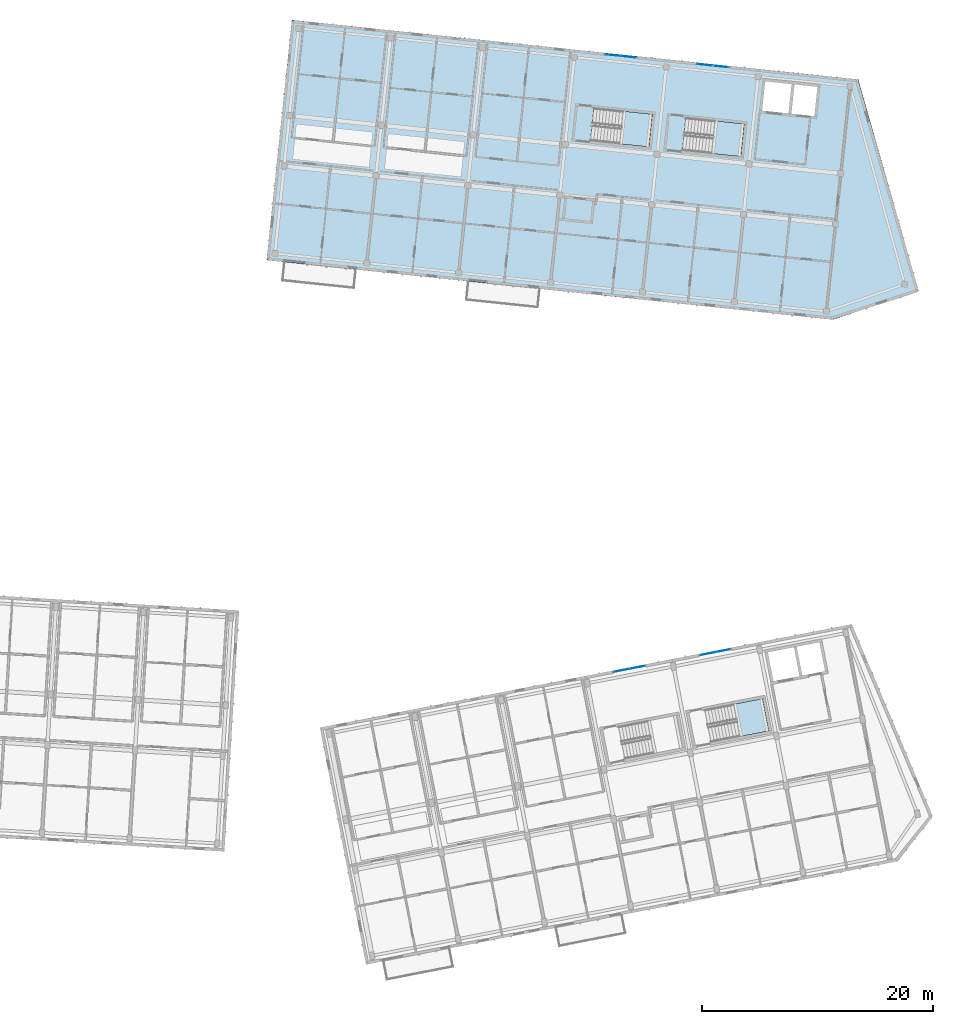
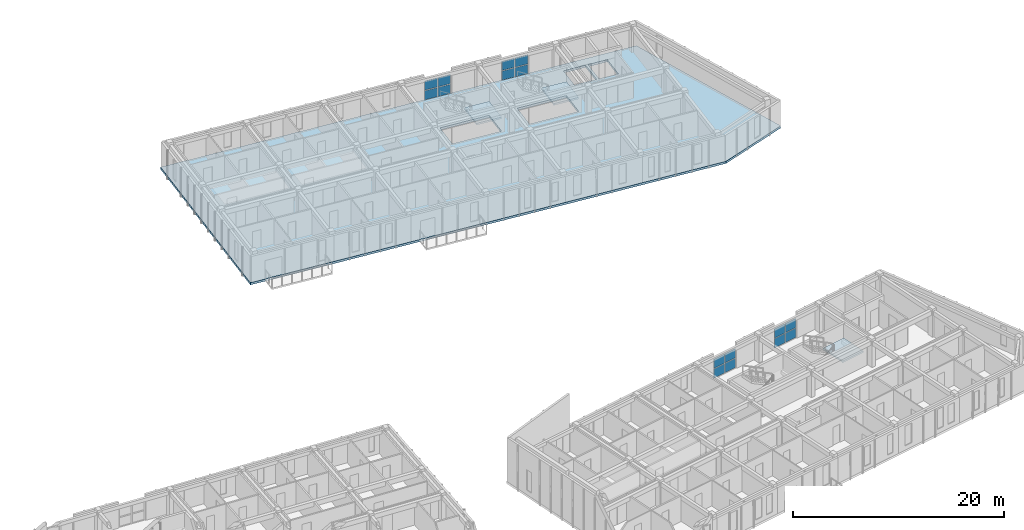
# One storey, part 18 of 65: 16 plates, 4 slabs, 7 elements without a shape of their own.
"""IFC4 building model written with IfcOpenShell, lengths in metres."""

from ifc_helpers import new_model, si_unit, direction, frame, origin, origin_2d, place, context, subcontext, project, spatial, polyline, rectangle, outline, extrude, material, layer, layer_set, type_object, element, aggregate, save


model = new_model("IFC4")

# Units and contexts
model_context = context("Model", 3, precision=1e-05, world=origin(), true_north=direction((0.0, 1.0)))
body_context = subcontext(model_context, "Body", "Model", "MODEL_VIEW")
ifc_project = project(units=[si_unit("LENGTHUNIT", "METRE"), si_unit("AREAUNIT", "SQUARE_METRE"), si_unit("VOLUMEUNIT", "CUBIC_METRE"), si_unit("PLANEANGLEUNIT", "RADIAN"), si_unit("MASSUNIT", "GRAM", prefix="KILO")], contexts=[model_context])

# Site, building, storey
site_placement = place(None, origin())
site = spatial("IfcSite", under=ifc_project, at=site_placement, CompositionType="ELEMENT")
building_placement = place(site_placement, origin())
building = spatial("IfcBuilding", under=site, at=building_placement, Name="Kestramere Prow Commons", CompositionType="ELEMENT")
storey_placement = place(building_placement, frame((0.0, 0.0, 21.39990234375)))
storey = spatial("IfcBuildingStorey", under=building, at=storey_placement, Name="L06", CompositionType="ELEMENT", Elevation=21.39990234375)

# Curtain wall, plates
ifc_material_1 = material(Name="Anodised Aluminium and Low-E Glass", Category="aluminium")
curtain_wall_type = type_object("IfcCurtainWallType", Name="CW-03 Glazed Curtain Wall 2830x2320", PredefinedType="USERDEFINED", material=ifc_material_1)
curtain_wall_1_placement = place(storey_placement, origin())
curtain_wall_1 = element("IfcCurtainWall", 1, at=curtain_wall_1_placement, inside=storey, type_object=curtain_wall_type, Name="Block B L06 Stairwell Vertical Glazing 4", ObjectType="GLAZED CURTAIN WALL", PredefinedType="USERDEFINED")
ifc_material_2 = material(Name="Low-E Laminated Double Glazing", Category="glass")
ifc_layer_1 = layer(ifc_material_2, 0.028076171875)
ifc_layer_set_1 = layer_set([ifc_layer_1], Name="Low-E Laminated Double Glazing")
plate_type = type_object("IfcPlateType", Name="CW-PNL-28", PredefinedType="CURTAIN_PANEL", material=ifc_layer_set_1)
plate_1_placement = place(storey_placement, frame((139.2626953125, 111.960205078125, 0.065185546875), z_axis=(0.0, 0.0, 1.0), x_axis=(0.994521879016, -0.104528618845, 0.0)))
plate_1 = element("IfcPlate", 2, at=plate_1_placement, type_object=plate_type, Name="CW-03 panel 1.1", PredefinedType="CURTAIN_PANEL", context=body_context, shape_type="SweptSolid", body=[
    extrude(rectangle(XDim=1.3173828125, YDim=0.028076171875, at=origin_2d()), origin(), (0.0, 0.0, 1.0), 1.0625),
])
plate_2_placement = place(storey_placement, frame((139.2626953125, 111.960205078125, 1.192626953125), z_axis=(0.0, 0.0, 1.0), x_axis=(0.994521879016, -0.104528618845, 0.0)))
plate_2 = element("IfcPlate", 3, at=plate_2_placement, type_object=plate_type, Name="CW-03 panel 1.2", PredefinedType="CURTAIN_PANEL", context=body_context, shape_type="SweptSolid", body=[
    extrude(rectangle(XDim=1.3173828125, YDim=0.028076171875, at=origin_2d()), origin(), (0.0, 0.0, 1.0), 1.0625),
])
plate_3_placement = place(storey_placement, frame((140.6376953125, 111.815673828125, 0.065185546875), z_axis=(0.0, 0.0, 1.0), x_axis=(0.994521879016, -0.104528618845, 0.0)))
plate_3 = element("IfcPlate", 4, at=plate_3_placement, type_object=plate_type, Name="CW-03 panel 2.1", PredefinedType="CURTAIN_PANEL", context=body_context, shape_type="SweptSolid", body=[
    extrude(rectangle(XDim=1.3173828125, YDim=0.028076171875, at=origin_2d()), origin(), (0.0, 0.0, 1.0), 1.0625),
])
plate_4_placement = place(storey_placement, frame((140.6376953125, 111.815673828125, 1.192626953125), z_axis=(0.0, 0.0, 1.0), x_axis=(0.994521879016, -0.104528618845, 0.0)))
plate_4 = element("IfcPlate", 5, at=plate_4_placement, type_object=plate_type, Name="CW-03 panel 2.2", PredefinedType="CURTAIN_PANEL", context=body_context, shape_type="SweptSolid", body=[
    extrude(rectangle(XDim=1.3173828125, YDim=0.028076171875, at=origin_2d()), origin(), (0.0, 0.0, 1.0), 1.0625),
])
aggregate(curtain_wall_1, [plate_1, plate_2, plate_3, plate_4])

curtain_wall_2_placement = place(storey_placement, origin())
curtain_wall_2 = element("IfcCurtainWall", 6, at=curtain_wall_2_placement, inside=storey, type_object=curtain_wall_type, Name="Block B L06 Stairwell Vertical Glazing 5", ObjectType="GLAZED CURTAIN WALL", PredefinedType="USERDEFINED")
plate_5_placement = place(storey_placement, frame((147.218994140625, 111.1240234375, 0.065185546875), z_axis=(0.0, 0.0, 1.0), x_axis=(0.99452191575, -0.104528269348, 0.0)))
plate_5 = element("IfcPlate", 7, at=plate_5_placement, type_object=plate_type, Name="CW-03 panel 1.1", PredefinedType="CURTAIN_PANEL", context=body_context, shape_type="SweptSolid", body=[
    extrude(rectangle(XDim=1.3173828125, YDim=0.028076171875, at=origin_2d()), origin(), (0.0, 0.0, 1.0), 1.0625),
])
plate_6_placement = place(storey_placement, frame((147.218994140625, 111.1240234375, 1.192626953125), z_axis=(0.0, 0.0, 1.0), x_axis=(0.99452191575, -0.104528269348, 0.0)))
plate_6 = element("IfcPlate", 8, at=plate_6_placement, type_object=plate_type, Name="CW-03 panel 1.2", PredefinedType="CURTAIN_PANEL", context=body_context, shape_type="SweptSolid", body=[
    extrude(rectangle(XDim=1.3173828125, YDim=0.028076171875, at=origin_2d()), origin(), (0.0, 0.0, 1.0), 1.0625),
])
plate_7_placement = place(storey_placement, frame((148.593994140625, 110.9794921875, 0.065185546875), z_axis=(0.0, 0.0, 1.0), x_axis=(0.99452191575, -0.104528269348, 0.0)))
plate_7 = element("IfcPlate", 9, at=plate_7_placement, type_object=plate_type, Name="CW-03 panel 2.1", PredefinedType="CURTAIN_PANEL", context=body_context, shape_type="SweptSolid", body=[
    extrude(rectangle(XDim=1.3173828125, YDim=0.028076171875, at=origin_2d()), origin(), (0.0, 0.0, 1.0), 1.0625),
])
plate_8_placement = place(storey_placement, frame((148.593994140625, 110.9794921875, 1.192626953125), z_axis=(0.0, 0.0, 1.0), x_axis=(0.99452191575, -0.104528269348, 0.0)))
plate_8 = element("IfcPlate", 10, at=plate_8_placement, type_object=plate_type, Name="CW-03 panel 2.2", PredefinedType="CURTAIN_PANEL", context=body_context, shape_type="SweptSolid", body=[
    extrude(rectangle(XDim=1.3173828125, YDim=0.028076171875, at=origin_2d()), origin(), (0.0, 0.0, 1.0), 1.0625),
])
aggregate(curtain_wall_2, [plate_5, plate_6, plate_7, plate_8])

curtain_wall_3_placement = place(storey_placement, origin())
curtain_wall_3 = element("IfcCurtainWall", 11, at=curtain_wall_3_placement, inside=storey, type_object=curtain_wall_type, Name="Block D L06 Stairwell Vertical Glazing 4", ObjectType="GLAZED CURTAIN WALL", PredefinedType="USERDEFINED")
plate_9_placement = place(storey_placement, frame((139.99267578125, 58.698974609375, 0.065185546875), z_axis=(0.0, 0.0, 1.0), x_axis=(0.981627214599, 0.190808835118, 0.0)))
plate_9 = element("IfcPlate", 12, at=plate_9_placement, type_object=plate_type, Name="CW-03 panel 1.1", PredefinedType="CURTAIN_PANEL", context=body_context, shape_type="SweptSolid", body=[
    extrude(rectangle(XDim=1.3173828125, YDim=0.028076171875, at=origin_2d()), origin(), (0.0, 0.0, 1.0), 1.0625),
])
plate_10_placement = place(storey_placement, frame((139.99267578125, 58.698974609375, 1.192626953125), z_axis=(0.0, 0.0, 1.0), x_axis=(0.981627214599, 0.190808835118, 0.0)))
plate_10 = element("IfcPlate", 13, at=plate_10_placement, type_object=plate_type, Name="CW-03 panel 1.2", PredefinedType="CURTAIN_PANEL", context=body_context, shape_type="SweptSolid", body=[
    extrude(rectangle(XDim=1.3173828125, YDim=0.028076171875, at=origin_2d()), origin(), (0.0, 0.0, 1.0), 1.0625),
])
plate_11_placement = place(storey_placement, frame((141.349853515625, 58.962646484375, 0.065185546875), z_axis=(0.0, 0.0, 1.0), x_axis=(0.981627214599, 0.190808835118, 0.0)))
plate_11 = element("IfcPlate", 14, at=plate_11_placement, type_object=plate_type, Name="CW-03 panel 2.1", PredefinedType="CURTAIN_PANEL", context=body_context, shape_type="SweptSolid", body=[
    extrude(rectangle(XDim=1.3173828125, YDim=0.028076171875, at=origin_2d()), origin(), (0.0, 0.0, 1.0), 1.0625),
])
plate_12_placement = place(storey_placement, frame((141.349853515625, 58.962646484375, 1.192626953125), z_axis=(0.0, 0.0, 1.0), x_axis=(0.981627214599, 0.190808835118, 0.0)))
plate_12 = element("IfcPlate", 15, at=plate_12_placement, type_object=plate_type, Name="CW-03 panel 2.2", PredefinedType="CURTAIN_PANEL", context=body_context, shape_type="SweptSolid", body=[
    extrude(rectangle(XDim=1.3173828125, YDim=0.028076171875, at=origin_2d()), origin(), (0.0, 0.0, 1.0), 1.0625),
])
aggregate(curtain_wall_3, [plate_9, plate_10, plate_11, plate_12])

curtain_wall_4_placement = place(storey_placement, origin())
curtain_wall_4 = element("IfcCurtainWall", 16, at=curtain_wall_4_placement, inside=storey, type_object=curtain_wall_type, Name="Block D L06 Stairwell Vertical Glazing 5", ObjectType="GLAZED CURTAIN WALL", PredefinedType="USERDEFINED")
plate_13_placement = place(storey_placement, frame((147.453125, 60.14892578125, 0.065185546875), z_axis=(0.0, 0.0, 1.0), x_axis=(0.981627214599, 0.190808835118, 0.0)))
plate_13 = element("IfcPlate", 17, at=plate_13_placement, type_object=plate_type, Name="CW-03 panel 1.1", PredefinedType="CURTAIN_PANEL", context=body_context, shape_type="SweptSolid", body=[
    extrude(rectangle(XDim=1.3173828125, YDim=0.028076171875, at=origin_2d()), origin(), (0.0, 0.0, 1.0), 1.0625),
])
plate_14_placement = place(storey_placement, frame((147.453125, 60.14892578125, 1.192626953125), z_axis=(0.0, 0.0, 1.0), x_axis=(0.981627214599, 0.190808835118, 0.0)))
plate_14 = element("IfcPlate", 18, at=plate_14_placement, type_object=plate_type, Name="CW-03 panel 1.2", PredefinedType="CURTAIN_PANEL", context=body_context, shape_type="SweptSolid", body=[
    extrude(rectangle(XDim=1.3173828125, YDim=0.028076171875, at=origin_2d()), origin(), (0.0, 0.0, 1.0), 1.0625),
])
plate_15_placement = place(storey_placement, frame((148.81005859375, 60.412841796875, 0.065185546875), z_axis=(0.0, 0.0, 1.0), x_axis=(0.981627214599, 0.190808835118, 0.0)))
plate_15 = element("IfcPlate", 19, at=plate_15_placement, type_object=plate_type, Name="CW-03 panel 2.1", PredefinedType="CURTAIN_PANEL", context=body_context, shape_type="SweptSolid", body=[
    extrude(rectangle(XDim=1.3173828125, YDim=0.028076171875, at=origin_2d()), origin(), (0.0, 0.0, 1.0), 1.0625),
])
plate_16_placement = place(storey_placement, frame((148.81005859375, 60.412841796875, 1.192626953125), z_axis=(0.0, 0.0, 1.0), x_axis=(0.981627214599, 0.190808835118, 0.0)))
plate_16 = element("IfcPlate", 20, at=plate_16_placement, type_object=plate_type, Name="CW-03 panel 2.2", PredefinedType="CURTAIN_PANEL", context=body_context, shape_type="SweptSolid", body=[
    extrude(rectangle(XDim=1.3173828125, YDim=0.028076171875, at=origin_2d()), origin(), (0.0, 0.0, 1.0), 1.0625),
])
aggregate(curtain_wall_4, [plate_13, plate_14, plate_15, plate_16])

# Slab
ifc_material_3 = material(Name="Precast concrete C40/50", Category="concrete")
ifc_layer_2 = layer(ifc_material_3, 0.25)
ifc_layer_set_2 = layer_set([ifc_layer_2], Name="Precast concrete C40/50")
slab_type_1 = type_object("IfcSlabType", Name="SL-HC-250", PredefinedType="FLOOR", material=ifc_layer_set_2)
slab_1_placement = place(storey_placement, frame((0.0, 0.0, -0.25)))
element("IfcSlab", 21, at=slab_1_placement, inside=storey, type_object=slab_type_1, Name="Block B L06 Hollowcore Floor Slab", PredefinedType="FLOOR", context=body_context, shape_type="SweptSolid", body=[
    extrude(outline(polyline([(109.28564453125, 94.221435546875), (158.3154296875, 89.068359375), (165.71630859375, 91.558349609375), (160.500244140625, 109.853759765625), (111.47021484375, 115.007080078125), (109.28564453125, 94.221435546875)]), holes=[polyline([(152.1728515625, 107.159423828125), (154.46044921875, 106.9189453125), (154.726806640625, 109.455078125), (152.439453125, 109.695556640625), (152.1728515625, 107.159423828125)]), polyline([(154.708984375, 106.892822265625), (156.697998046875, 106.683837890625), (156.964599609375, 109.219970703125), (154.9755859375, 109.428955078125), (154.708984375, 106.892822265625)]), polyline([(137.318603515625, 104.5478515625), (142.390625, 104.0146484375), (142.6884765625, 106.84912109375), (137.616455078125, 107.38232421875), (137.318603515625, 104.5478515625)]), polyline([(145.274658203125, 103.711669921875), (150.346923828125, 103.178466796875), (150.644775390625, 106.012939453125), (145.57275390625, 106.5458984375), (145.274658203125, 103.711669921875)])]), origin(), (0.0, 0.0, 1.0), 0.25),
])

# Stair, slab
ifc_material_4 = material(Name="Concrete C40/50", Category="concrete")
stair_type = type_object("IfcStairType", Name="ST-DOG-1350", PredefinedType="HALF_TURN_STAIR", material=ifc_material_4)
stair_1_placement = place(storey_placement, origin())
stair_1 = element("IfcStair", 22, at=stair_1_placement, inside=storey, type_object=stair_type, Name="L06 Block B Exit Stair 1", PredefinedType="HALF_TURN_STAIR")
ifc_layer_3 = layer(ifc_material_4, 0.199951171875)
ifc_layer_set_3 = layer_set([ifc_layer_3], Name="Concrete C40/50")
slab_type_2 = type_object("IfcSlabType", Name="SL-ST-LAND-200", PredefinedType="LANDING", material=ifc_layer_set_3)
slab_2_placement = place(storey_placement, frame((0.0, 0.0, 1.425048828125)))
slab_2 = element("IfcSlab", 23, at=slab_2_placement, type_object=slab_type_2, Name="ST-B1 landing 1", PredefinedType="LANDING", context=body_context, shape_type="SweptSolid", body=[
    extrude(outline(polyline([(139.82470703125, 104.284423828125), (142.390625, 104.0146484375), (142.6884765625, 106.84912109375), (140.122802734375, 107.118896484375), (139.82470703125, 104.284423828125)])), origin(), (0.0, 0.0, 1.0), 0.199951171875),
])
aggregate(stair_1, [slab_2])

stair_2_placement = place(storey_placement, origin())
stair_2 = element("IfcStair", 24, at=stair_2_placement, inside=storey, type_object=stair_type, Name="L06 Block B Exit Stair 2", PredefinedType="HALF_TURN_STAIR")
slab_3_placement = place(storey_placement, frame((0.0, 0.0, 1.425048828125)))
slab_3 = element("IfcSlab", 25, at=slab_3_placement, type_object=slab_type_2, Name="ST-B2 landing 1", PredefinedType="LANDING", context=body_context, shape_type="SweptSolid", body=[
    extrude(outline(polyline([(147.781005859375, 103.4482421875), (150.346923828125, 103.178466796875), (150.644775390625, 106.012939453125), (148.078857421875, 106.282470703125), (147.781005859375, 103.4482421875)])), origin(), (0.0, 0.0, 1.0), 0.199951171875),
])
aggregate(stair_2, [slab_3])

stair_3_placement = place(storey_placement, origin())
stair_3 = element("IfcStair", 26, at=stair_3_placement, inside=storey, type_object=stair_type, Name="L06 Block D Exit Stair 2", PredefinedType="HALF_TURN_STAIR")
slab_4_placement = place(storey_placement, frame((0.0, 0.0, 1.425048828125)))
slab_4 = element("IfcSlab", 27, at=slab_4_placement, type_object=slab_type_2, Name="ST-D2 landing 1", PredefinedType="LANDING", context=body_context, shape_type="SweptSolid", body=[
    extrude(outline(polyline([(150.234619140625, 52.972900390625), (152.767333984375, 53.46533203125), (152.223388671875, 56.262939453125), (149.69091796875, 55.7705078125), (150.234619140625, 52.972900390625)])), origin(), (0.0, 0.0, 1.0), 0.199951171875),
])
aggregate(stair_3, [slab_4])

save(model, "model.ifc")
